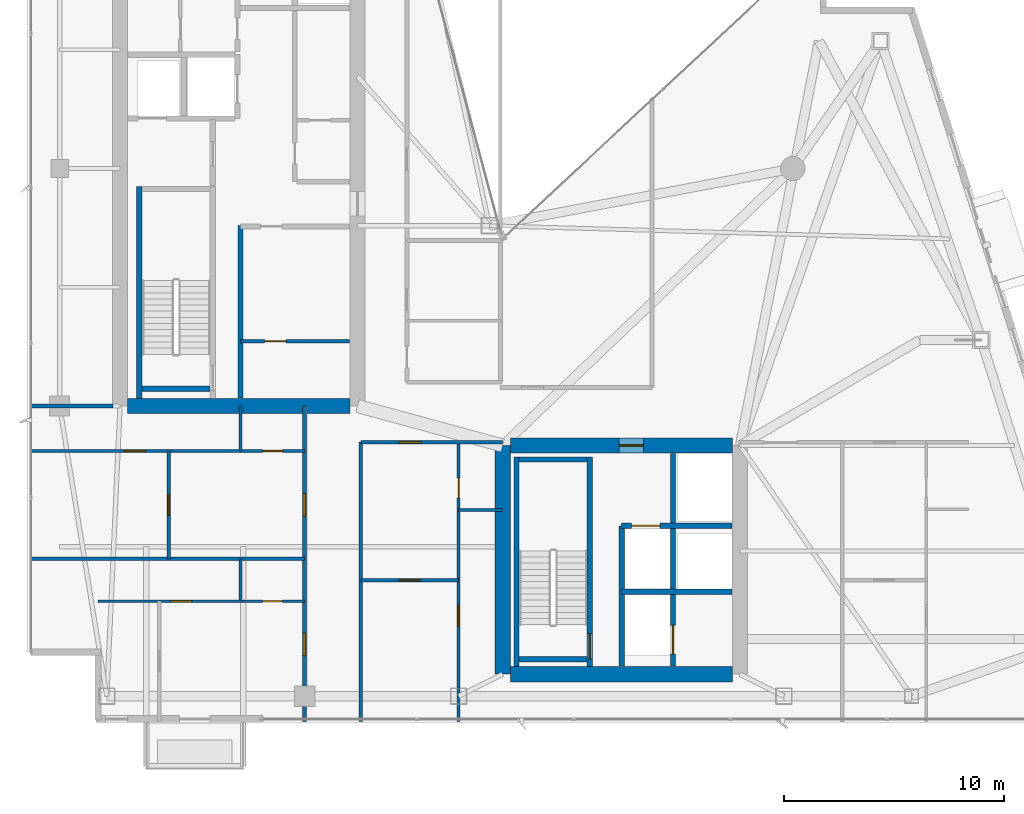
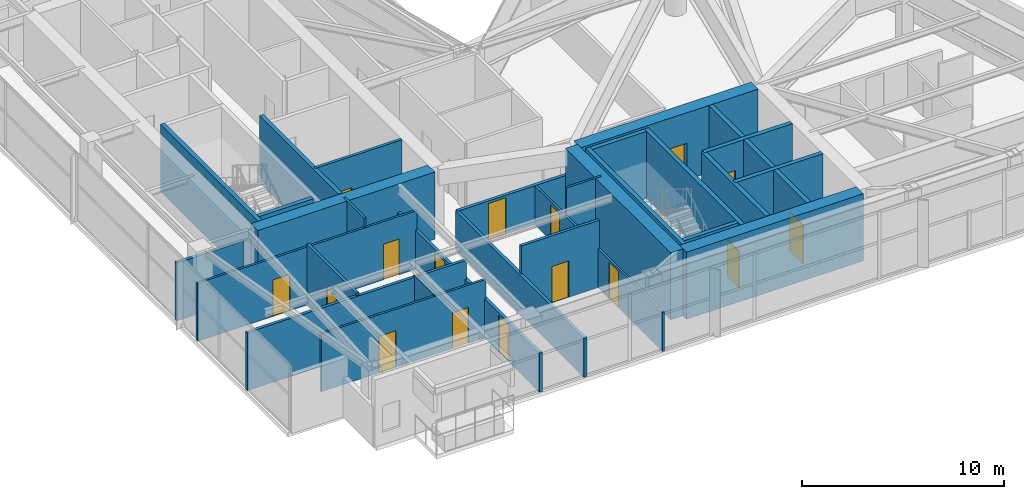
# One storey, part 22 of 27: 29 walls, 16 doors, 16 openings.
"""IFC4 building model written with IfcOpenShell, lengths in metres."""

import ifcopenshell
import ifcopenshell.guid

model = None  # the IFC model being written
_history = None  # IfcOwnerHistory: only IFC2X3 demands one
_inside = {}  # id of a spatial element -> (the spatial element, [elements in it])
_under = {}  # id of a project, library or spatial element -> (it, [spatial elements below it])
_declared = {}  # id of a project -> (the project, [libraries it declares])
_typed = {}  # id of a type object -> (the type object, [elements of that type])
_made_of = {}  # id of a material, layer set ... -> (it, [elements and type objects made of it])


def new_model(schema):
    """Start an empty IFC model of exactly this schema.

    Asked for "IFC4X3", IfcOpenShell would pick the latest addendum, in which some entities
    have other attributes; the version numbers below select the first issue.
    IFC2X3 requires an IfcOwnerHistory on every rooted entity: one is made here for all.
    """
    global model, _history
    if schema == "IFC4X3":
        model = ifcopenshell.file(schema_version=(4, 3, 0, 0))
    else:
        model = ifcopenshell.file(schema=schema)
    _inside.clear()
    _under.clear()
    _declared.clear()
    _typed.clear()
    _made_of.clear()
    _history = None
    if model.schema == "IFC2X3":
        org = make("IfcOrganization", Name="unknown")
        user = make(
            "IfcPersonAndOrganization",
            ThePerson=make("IfcPerson", FamilyName="unknown"),
            TheOrganization=org,
        )
        app = make(
            "IfcApplication",
            ApplicationDeveloper=org,
            Version="unknown",
            ApplicationFullName="unknown",
            ApplicationIdentifier="unknown",
        )
        _history = make(
            "IfcOwnerHistory",
            OwningUser=user,
            OwningApplication=app,
            ChangeAction="ADDED",
            CreationDate=0,
        )
    return model


def make(cls, **values):
    """One entity of the class cls with the attributes given. An attribute that is None is left unset."""
    return model.create_entity(
        cls, **{name: value for name, value in values.items() if value is not None}
    )


def rooted(cls, **values):
    """An entity with a GlobalId (a new one), such as an element, a storey or a relation."""
    return make(cls, GlobalId=ifcopenshell.guid.new(), OwnerHistory=_history, **values)


def si_unit(unit_type, name, prefix=None):
    """IfcSIUnit, for example si_unit("LENGTHUNIT", "METRE", prefix="MILLI")."""
    return make("IfcSIUnit", UnitType=unit_type, Prefix=prefix, Name=name)


def assignment(units):
    """IfcUnitAssignment: the units of a project."""
    return None if units is None else make("IfcUnitAssignment", Units=units)


def point(xyz):
    """IfcCartesianPoint."""
    return None if xyz is None else make("IfcCartesianPoint", Coordinates=xyz)


def direction(xyz):
    """IfcDirection."""
    return None if xyz is None else make("IfcDirection", DirectionRatios=xyz)


def frame(location, z_axis=None, x_axis=None):
    """IfcAxis2Placement3D, a coordinate frame: its origin and axes. An axis left out is left unset."""
    return make(
        "IfcAxis2Placement3D",
        Location=point(location),
        Axis=direction(z_axis),
        RefDirection=direction(x_axis),
    )


def frame_2d(location, x_axis=None):
    """IfcAxis2Placement2D, a coordinate frame in the plane: its origin and x axis."""
    return make(
        "IfcAxis2Placement2D", Location=point(location), RefDirection=direction(x_axis)
    )


def origin():
    """The frame at (0, 0, 0) with its axes left unset."""
    return frame((0.0, 0.0, 0.0))


def place(relative_to, where):
    """IfcLocalPlacement: puts the frame where relative to a parent placement (None: the world)."""
    return make(
        "IfcLocalPlacement", PlacementRelTo=relative_to, RelativePlacement=where
    )


def context(
    kind, dimensions, precision=None, world=None, true_north=None, identifier=None
):
    """IfcGeometricRepresentationContext, for example the 3D "Model" context."""
    return make(
        "IfcGeometricRepresentationContext",
        ContextIdentifier=identifier,
        ContextType=kind,
        CoordinateSpaceDimension=dimensions,
        Precision=precision,
        WorldCoordinateSystem=world,
        TrueNorth=true_north,
    )


def subcontext(parent, identifier, kind, view, scale=None):
    """IfcGeometricRepresentationSubContext, for example "Body" below "Model"."""
    return make(
        "IfcGeometricRepresentationSubContext",
        ContextIdentifier=identifier,
        ContextType=kind,
        ParentContext=parent,
        TargetScale=scale,
        TargetView=view,
    )


def project(units=None, contexts=None):
    """IfcProject with its units and contexts."""
    return rooted(
        "IfcProject",
        Name="project",
        RepresentationContexts=contexts,
        UnitsInContext=assignment(units),
    )


def spatial(cls, under=None, at=None, **own):
    """A site, building, storey or space (cls), placed at a placement, below another one or the project."""
    s = rooted(cls, ObjectPlacement=at, **own)
    if under is not None:
        _under.setdefault(under.id(), (under, []))[1].append(s)
    return s


def profile(cls, at=None, kind="AREA", **sizes):
    """A parametric profile (cls). Its sizes go by their IFC names, for example OverallWidth=200.0."""
    return make(cls, ProfileType=kind, Position=at, **sizes)


def rectangle(**sizes):
    """IfcRectangleProfileDef."""
    return profile("IfcRectangleProfileDef", **sizes)


def extrude(swept, where, along, depth):
    """IfcExtrudedAreaSolid: the profile swept, set in the frame where, extruded along a direction by depth."""
    return make(
        "IfcExtrudedAreaSolid",
        SweptArea=swept,
        Position=where,
        ExtrudedDirection=direction(along),
        Depth=depth,
    )


def shape(context_of_items, identifier, shape_type, items):
    """IfcShapeRepresentation: the items that make up one representation, for example the "Body"."""
    return make(
        "IfcShapeRepresentation",
        ContextOfItems=context_of_items,
        RepresentationIdentifier=identifier,
        RepresentationType=shape_type,
        Items=items,
    )


def material(Name=None, Category=None):
    """IfcMaterial."""
    return make("IfcMaterial", Name=Name, Category=Category)


def layer(
    of_material, thickness, ventilated=None, Name=None, Category=None, Priority=None
):
    """IfcMaterialLayer: one layer of a wall or slab, of a material (None: an air gap)."""
    return make(
        "IfcMaterialLayer",
        Material=of_material,
        LayerThickness=thickness,
        IsVentilated=ventilated,
        Name=Name,
        Category=Category,
        Priority=Priority,
    )


def layer_set(layers, Name=None):
    """IfcMaterialLayerSet."""
    return make("IfcMaterialLayerSet", MaterialLayers=layers, LayerSetName=Name)


def made_of(thing, what):
    """Note that an element or type object is made of a material, layer set ...; save() writes the relation."""
    if what is not None:
        _made_of.setdefault(what.id(), (what, []))[1].append(thing)
    return thing


def type_object(cls, material=None, **own):
    """A type object (cls), such as IfcWallType, which elements share."""
    return made_of(rooted(cls, **own), material)


def element(
    cls,
    number,
    at=None,
    inside=None,
    cuts=None,
    type_object=None,
    material=None,
    context=None,
    identifier="Body",
    shape_type=None,
    held_by="IfcProductDefinitionShape",
    body=None,
    shapes=None,
    **own,
):
    """One element of the class cls, such as IfcWall. Its Tag is "e" and its number.

    at: its placement. inside: the storey or other place that contains it. cuts: it is an
    opening in that element (IfcRelVoidsElement). A single representation is given by context,
    identifier, shape_type and body (its items); several are given by shapes. held_by: the class
    of the entity that holds the representations. save() writes the other relations.
    """
    e = rooted(cls, Tag="e%d" % number, ObjectPlacement=at, **own)
    if body is not None:
        shapes = [shape(context, identifier, shape_type, body)]
    if shapes is not None:
        e.Representation = make(held_by, Representations=shapes)
    if inside is not None:
        _inside.setdefault(inside.id(), (inside, []))[1].append(e)
    if cuts is not None:
        rooted(
            "IfcRelVoidsElement", RelatingBuildingElement=cuts, RelatedOpeningElement=e
        )
    if type_object is not None:
        _typed.setdefault(type_object.id(), (type_object, []))[1].append(e)
    return made_of(e, material)


def fill(opening, filler):
    """IfcRelFillsElement: the door or window that sits in an opening."""
    return rooted(
        "IfcRelFillsElement",
        RelatingOpeningElement=opening,
        RelatedBuildingElement=filler,
    )


def aggregate(whole, parts):
    """IfcRelAggregates: a whole, such as a stair, and the parts it consists of."""
    return rooted("IfcRelAggregates", RelatingObject=whole, RelatedObjects=parts)


def save(model, path):
    """Write the relations noted so far, then the file.

    IfcRelAggregates (storeys below a building ...), IfcRelContainedInSpatialStructure (elements
    in a storey), IfcRelDefinesByType, IfcRelAssociatesMaterial and IfcRelDeclares: one each for
    every whole, place, type object, material and project.
    """
    for whole, parts in _under.values():
        aggregate(whole, parts)
    for where, things in _inside.values():
        rooted(
            "IfcRelContainedInSpatialStructure",
            RelatedElements=things,
            RelatingStructure=where,
        )
    for kind, things in _typed.values():
        rooted("IfcRelDefinesByType", RelatedObjects=things, RelatingType=kind)
    for what, things in _made_of.values():
        rooted("IfcRelAssociatesMaterial", RelatedObjects=things, RelatingMaterial=what)
    for by, libraries in _declared.values():
        rooted("IfcRelDeclares", RelatingContext=by, RelatedDefinitions=libraries)
    model.write(path)


model = new_model("IFC4")

# Units and contexts
model_context = context("Model", 3, precision=1e-05, world=origin(), true_north=direction((0.0, 1.0)))
body_context = subcontext(model_context, "Body", "Model", "MODEL_VIEW")
ifc_project = project(units=[si_unit("LENGTHUNIT", "METRE"), si_unit("AREAUNIT", "SQUARE_METRE"), si_unit("VOLUMEUNIT", "CUBIC_METRE"), si_unit("PLANEANGLEUNIT", "RADIAN"), si_unit("MASSUNIT", "GRAM", prefix="KILO")], contexts=[model_context])

# Site, building, storey
site_placement = place(None, origin())
site = spatial("IfcSite", under=ifc_project, at=site_placement, CompositionType="ELEMENT")
building_placement = place(site_placement, origin())
building = spatial("IfcBuilding", under=site, at=building_placement, Name="Calvorn Quay Hotel", CompositionType="ELEMENT")
storey_placement = place(building_placement, frame((0.0, 0.0, 239.300048828125)))
storey = spatial("IfcBuildingStorey", under=building, at=storey_placement, Name="L59", CompositionType="ELEMENT", Elevation=239.300048828125)

# Walls
ifc_material_1 = material(Name="Concrete C45", Category="concrete")
ifc_layer_1 = layer(ifc_material_1, 0.699951171875)
ifc_layer_set_1 = layer_set([ifc_layer_1], Name="WL-CORE-700")
wall_type_1 = type_object("IfcWallType", Name="WL-CORE-700", PredefinedType="SHEAR", material=ifc_layer_set_1)
wall_1_placement = place(storey_placement, frame((4.550048828125, 16.800048828125, 0.0), z_axis=(0.0, 0.0, 1.0), x_axis=(1.0, 0.0, 0.0)))
element("IfcWall", 1, at=wall_1_placement, inside=storey, type_object=wall_type_1, Name="West Core Shear Wall S (L59)", PredefinedType="SHEAR", context=body_context, shape_type="SweptSolid", body=[
    extrude(rectangle(XDim=10.099853515625, YDim=0.699951171875, at=frame_2d((5.0498046875, 0.0))), origin(), (0.0, 0.0, 1.0), 4.050048828125),
])
wall_2_placement = place(storey_placement, frame((21.60009765625, 4.60009765625, 0.0), z_axis=(0.0, 0.0, 1.0), x_axis=(0.0, 1.0, 0.0)))
element("IfcWall", 2, at=wall_2_placement, inside=storey, type_object=wall_type_1, Name="East Core Shear Wall W (L59)", PredefinedType="SHEAR", context=body_context, shape_type="SweptSolid", body=[
    extrude(rectangle(XDim=10.39990234375, YDim=0.699951171875, at=frame_2d((5.199951171875, 0.0))), origin(), (0.0, 0.0, 1.0), 4.050048828125),
])

# Wall, opening, door
wall_3_placement = place(storey_placement, frame((21.949951171875, 15.0, 0.0), z_axis=(0.0, 0.0, 1.0), x_axis=(1.0, 0.0, 0.0)))
wall_3 = element("IfcWall", 3, at=wall_3_placement, inside=storey, type_object=wall_type_1, Name="East Core Shear Wall N (L59)", PredefinedType="SHEAR", context=body_context, shape_type="SweptSolid", body=[
    extrude(rectangle(XDim=10.10009765625, YDim=0.699951171875, at=frame_2d((5.050048828125, 0.0))), origin(), (0.0, 0.0, 1.0), 4.050048828125),
])
opening_1_placement = place(wall_3_placement, frame((4.949951171875, 0.0, 0.0)))
opening_1 = element("IfcOpeningElement", 4, at=opening_1_placement, cuts=wall_3, Name="Opening D-L59-FLE", PredefinedType="OPENING", context=body_context, shape_type="SweptSolid", body=[
    extrude(rectangle(XDim=1.10009765625, YDim=2.199951171875, at=frame_2d((0.550048828125, 1.10009765625))), frame((0.0, 0.35986328125, 0.0), z_axis=(0.0, -1.0, 0.0), x_axis=(1.0, 0.0, 0.0)), (0.0, 0.0, 1.0), 0.719970703125),
])
ifc_material_2 = material(Name="Smoke-Sealed Steel Class A Fire Door", Category="steel")
door_type_1 = type_object("IfcDoorType", Name="DR-FFLOBBY-1100", OperationType="NOTDEFINED", PredefinedType="DOOR", material=ifc_material_2)
door_1_placement = place(opening_1_placement, origin())
door_1 = element("IfcDoor", 5, at=door_1_placement, inside=storey, type_object=door_type_1, Name="East Firefighting Lobby Fire Door (L59)", OperationType="SINGLE_SWING_LEFT", OverallHeight=2.199951171875, OverallWidth=1.10009765625, PredefinedType="DOOR", context=body_context, shape_type="SweptSolid", body=[
    extrude(rectangle(XDim=1.10009765625, YDim=2.199951171875, at=frame_2d((0.550048828125, 1.10009765625))), frame((0.0, 0.02490234375, 0.0), z_axis=(0.0, -1.0, 0.0), x_axis=(1.0, 0.0, 0.0)), (0.0, 0.0, 1.0), 0.050048828125),
])
fill(opening_1, door_1)

# Walls
wall_4_placement = place(storey_placement, frame((21.949951171875, 4.60009765625, 0.0), z_axis=(0.0, 0.0, 1.0), x_axis=(1.0, 0.0, 0.0)))
element("IfcWall", 6, at=wall_4_placement, inside=storey, type_object=wall_type_1, Name="East Core Shear Wall S (L59)", PredefinedType="SHEAR", context=body_context, shape_type="SweptSolid", body=[
    extrude(rectangle(XDim=10.10009765625, YDim=0.699951171875, at=frame_2d((5.050048828125, 0.0))), origin(), (0.0, 0.0, 1.0), 4.050048828125),
])
ifc_material_3 = material(Name="Acoustic Fireboard Steel-Stud Partition", Category="steel")
ifc_layer_2 = layer(ifc_material_3, 0.179931640625)
ifc_layer_set_2 = layer_set([ifc_layer_2], Name="WL-CORR-FIRE-180")
wall_type_2 = type_object("IfcWallType", Name="WL-CORR-FIRE-180", PredefinedType="PARTITIONING", material=ifc_layer_set_2)
wall_5_placement = place(storey_placement, frame((0.080078125, 16.800048828125, 0.0), z_axis=(0.0, 0.0, 1.0), x_axis=(1.0, 0.0, 0.0)))
element("IfcWall", 7, at=wall_5_placement, inside=storey, type_object=wall_type_2, Name="Partition Wall L59-WL-WBAY-S-WALL", PredefinedType="PARTITIONING", context=body_context, shape_type="SweptSolid", body=[
    extrude(rectangle(XDim=3.7998046875, YDim=0.179931640625, at=frame_2d((1.89990234375, 0.0))), origin(), (0.0, 0.0, 1.0), 3.5),
])

# Wall, openings, doors
wall_6_placement = place(storey_placement, frame((12.60009765625, 2.43994140625, 0.0), z_axis=(0.0, 0.0, 1.0), x_axis=(0.0, 1.0, 0.0)))
wall_6 = element("IfcWall", 8, at=wall_6_placement, inside=storey, type_object=wall_type_2, Name="Partition Wall L59-WL-CORR-SW-LEG-W", PredefinedType="PARTITIONING", context=body_context, shape_type="SweptSolid", body=[
    extrude(rectangle(XDim=14.360107421875, YDim=0.179931640625, at=frame_2d((7.18017578125, 0.0))), origin(), (0.0, 0.0, 1.0), 2.349853515625),
])
opening_2_placement = place(wall_6_placement, frame((3.010009765625, 0.0, 0.0)))
opening_2 = element("IfcOpeningElement", 9, at=opening_2_placement, cuts=wall_6, Name="Opening D-L59-U01", PredefinedType="OPENING", context=body_context, shape_type="SweptSolid", body=[
    extrude(rectangle(XDim=1.02001953125, YDim=2.199951171875, at=frame_2d((0.510009765625, 1.10009765625))), frame((0.0, 0.099853515625, 0.0), z_axis=(0.0, -1.0, 0.0), x_axis=(1.0, 0.0, 0.0)), (0.0, 0.0, 1.0), 0.199951171875),
])
opening_3_placement = place(wall_6_placement, frame((9.35009765625, 0.0, 0.0)))
opening_3 = element("IfcOpeningElement", 10, at=opening_3_placement, cuts=wall_6, Name="Opening D-L59-U02", PredefinedType="OPENING", context=body_context, shape_type="SweptSolid", body=[
    extrude(rectangle(XDim=1.02001953125, YDim=2.199951171875, at=frame_2d((0.510009765625, 1.10009765625))), frame((0.0, 0.099853515625, 0.0), z_axis=(0.0, -1.0, 0.0), x_axis=(1.0, 0.0, 0.0)), (0.0, 0.0, 1.0), 0.199951171875),
])
ifc_material_4 = material(Name="Solid-Core Walnut Veneer Hotel Fire Door")
door_type_2 = type_object("IfcDoorType", Name="DR-GUEST-ENTRY-1020", OperationType="NOTDEFINED", PredefinedType="DOOR", material=ifc_material_4)
door_2_placement = place(opening_2_placement, origin())
door_2 = element("IfcDoor", 11, at=door_2_placement, inside=storey, type_object=door_type_2, Name="South-West Unit Door U01 (L59)", OperationType="SINGLE_SWING_LEFT", OverallHeight=2.199951171875, OverallWidth=1.02001953125, PredefinedType="DOOR", context=body_context, shape_type="SweptSolid", body=[
    extrude(rectangle(XDim=1.02001953125, YDim=2.199951171875, at=frame_2d((0.510009765625, 1.10009765625))), frame((0.0, 0.02490234375, 0.0), z_axis=(0.0, -1.0, 0.0), x_axis=(1.0, 0.0, 0.0)), (0.0, 0.0, 1.0), 0.050048828125),
])
fill(opening_2, door_2)
door_3_placement = place(opening_3_placement, origin())
door_3 = element("IfcDoor", 12, at=door_3_placement, inside=storey, type_object=door_type_2, Name="South-West Unit Door U02 (L59)", OperationType="SINGLE_SWING_RIGHT", OverallHeight=2.199951171875, OverallWidth=1.02001953125, PredefinedType="DOOR", context=body_context, shape_type="SweptSolid", body=[
    extrude(rectangle(XDim=1.02001953125, YDim=2.199951171875, at=frame_2d((0.510009765625, 1.10009765625))), frame((0.0, 0.02490234375, 0.0), z_axis=(0.0, -1.0, 0.0), x_axis=(1.0, 0.0, 0.0)), (0.0, 0.0, 1.0), 0.050048828125),
])
fill(opening_3, door_3)

# Wall
wall_7_placement = place(storey_placement, frame((15.14990234375, 2.43994140625, 0.0), z_axis=(0.0, 0.0, 1.0), x_axis=(0.0, 1.0, 0.0)))
element("IfcWall", 13, at=wall_7_placement, inside=storey, type_object=wall_type_2, Name="Partition Wall L59-WL-CORR-SW-W", PredefinedType="PARTITIONING", context=body_context, shape_type="SweptSolid", body=[
    extrude(rectangle(XDim=12.7099609375, YDim=0.179931640625, at=frame_2d((6.35498046875, 0.0))), origin(), (0.0, 0.0, 1.0), 2.349853515625),
])

# Wall, opening, door
wall_8_placement = place(storey_placement, frame((15.14990234375, 15.14990234375, 0.0), z_axis=(0.0, 0.0, 1.0), x_axis=(1.0, 0.0, 0.0)))
wall_8 = element("IfcWall", 14, at=wall_8_placement, inside=storey, type_object=wall_type_2, Name="Partition Wall L59-WL-SC-CORR-S", PredefinedType="PARTITIONING", context=body_context, shape_type="SweptSolid", body=[
    extrude(rectangle(XDim=6.4501953125, YDim=0.179931640625, at=frame_2d((3.22509765625, 0.0))), origin(), (0.0, 0.0, 1.0), 2.349853515625),
])
opening_4_placement = place(wall_8_placement, frame((1.739990234375, 0.0, 0.0)))
opening_4 = element("IfcOpeningElement", 15, at=opening_4_placement, cuts=wall_8, Name="Opening D-L59-U03", PredefinedType="OPENING", context=body_context, shape_type="SweptSolid", body=[
    extrude(rectangle(XDim=1.02001953125, YDim=2.199951171875, at=frame_2d((0.510009765625, 1.10009765625))), frame((0.0, 0.099853515625, 0.0), z_axis=(0.0, -1.0, 0.0), x_axis=(1.0, 0.0, 0.0)), (0.0, 0.0, 1.0), 0.199951171875),
])
door_4_placement = place(opening_4_placement, origin())
door_4 = element("IfcDoor", 16, at=door_4_placement, inside=storey, type_object=door_type_2, Name="Harbour Central Unit Door (L59)", OperationType="SINGLE_SWING_LEFT", OverallHeight=2.199951171875, OverallWidth=1.02001953125, PredefinedType="DOOR", context=body_context, shape_type="SweptSolid", body=[
    extrude(rectangle(XDim=1.02001953125, YDim=2.199951171875, at=frame_2d((0.510009765625, 1.10009765625))), frame((0.0, 0.02490234375, 0.0), z_axis=(0.0, -1.0, 0.0), x_axis=(1.0, 0.0, 0.0)), (0.0, 0.0, 1.0), 0.050048828125),
])
fill(opening_4, door_4)

# Wall
ifc_material_5 = material(Name="Moisture-Resistant Tile-Backed Partition")
ifc_layer_3 = layer(ifc_material_5, 0.125)
ifc_layer_set_3 = layer_set([ifc_layer_3], Name="WL-ENSUITE-125")
wall_type_3 = type_object("IfcWallType", Name="WL-ENSUITE-125", PredefinedType="PARTITIONING", material=ifc_layer_set_3)
wall_9_placement = place(storey_placement, frame((9.679931640625, 7.919921875, 0.0), z_axis=(0.0, 0.0, 1.0), x_axis=(0.0, 1.0, 0.0)))
element("IfcWall", 17, at=wall_9_placement, inside=storey, type_object=wall_type_3, Name="Partition Wall L59-WL-U01-BDV", PredefinedType="PARTITIONING", context=body_context, shape_type="SweptSolid", body=[
    extrude(rectangle(XDim=1.93017578125, YDim=0.125, at=frame_2d((0.965087890625, 0.0))), origin(), (0.0, 0.0, 1.0), 3.599853515625),
])

# Wall, openings, doors
wall_10_placement = place(storey_placement, frame((3.199951171875, 7.919921875, 0.0), z_axis=(0.0, 0.0, 1.0), x_axis=(1.0, 0.0, 0.0)))
wall_10 = element("IfcWall", 18, at=wall_10_placement, inside=storey, type_object=wall_type_3, Name="Partition Wall L59-WL-U01-BH", PredefinedType="PARTITIONING", context=body_context, shape_type="SweptSolid", body=[
    extrude(rectangle(XDim=9.400146484375, YDim=0.125, at=frame_2d((4.7001953125, 0.0))), origin(), (0.0, 0.0, 1.0), 3.5),
])
opening_5_placement = place(wall_10_placement, frame((3.300048828125, 0.0, 0.0)))
opening_5 = element("IfcOpeningElement", 19, at=opening_5_placement, cuts=wall_10, Name="Opening D-L59-S01", PredefinedType="OPENING", context=body_context, shape_type="SweptSolid", body=[
    extrude(rectangle(XDim=0.9599609375, YDim=2.199951171875, at=frame_2d((0.47998046875, 1.10009765625))), frame((0.0, 0.072509765625, 0.0), z_axis=(0.0, -1.0, 0.0), x_axis=(1.0, 0.0, 0.0)), (0.0, 0.0, 1.0), 0.14501953125),
])
opening_6_placement = place(wall_10_placement, frame((7.489990234375, 0.0, 0.0)))
opening_6 = element("IfcOpeningElement", 20, at=opening_6_placement, cuts=wall_10, Name="Opening D-L59-E01", PredefinedType="OPENING", context=body_context, shape_type="SweptSolid", body=[
    extrude(rectangle(XDim=0.89990234375, YDim=2.14990234375, at=frame_2d((0.449951171875, 1.074951171875))), frame((0.0, 0.072509765625, 0.0), z_axis=(0.0, -1.0, 0.0), x_axis=(1.0, 0.0, 0.0)), (0.0, 0.0, 1.0), 0.14501953125),
])
ifc_material_6 = material(Name="Moisture-Sealed Timber En-Suite Door", Category="wood")
door_type_3 = type_object("IfcDoorType", Name="DR-ENSUITE-900", OperationType="NOTDEFINED", PredefinedType="DOOR", material=ifc_material_6)
door_5_placement = place(opening_6_placement, origin())
door_5 = element("IfcDoor", 21, at=door_5_placement, inside=storey, type_object=door_type_3, Name="En-Suite Door 01", OperationType="SINGLE_SWING_RIGHT", OverallHeight=2.14990234375, OverallWidth=0.89990234375, PredefinedType="DOOR", context=body_context, shape_type="SweptSolid", body=[
    extrude(rectangle(XDim=0.89990234375, YDim=2.14990234375, at=frame_2d((0.449951171875, 1.074951171875))), frame((0.0, 0.02490234375, 0.0), z_axis=(0.0, -1.0, 0.0), x_axis=(1.0, 0.0, 0.0)), (0.0, 0.0, 1.0), 0.050048828125),
])
fill(opening_6, door_5)
ifc_material_7 = material(Name="Solid Timber Internal Suite Door", Category="wood")
door_type_4 = type_object("IfcDoorType", Name="DR-SUITE-INT-960", OperationType="NOTDEFINED", PredefinedType="DOOR", material=ifc_material_7)
door_6_placement = place(opening_5_placement, origin())
door_6 = element("IfcDoor", 22, at=door_6_placement, inside=storey, type_object=door_type_4, Name="Botanical Winter Garden Door 01", OperationType="SINGLE_SWING_LEFT", OverallHeight=2.199951171875, OverallWidth=0.9599609375, PredefinedType="DOOR", context=body_context, shape_type="SweptSolid", body=[
    extrude(rectangle(XDim=0.9599609375, YDim=2.199951171875, at=frame_2d((0.47998046875, 1.10009765625))), frame((0.0, 0.02490234375, 0.0), z_axis=(0.0, -1.0, 0.0), x_axis=(1.0, 0.0, 0.0)), (0.0, 0.0, 1.0), 0.050048828125),
])
fill(opening_5, door_6)

# Wall
wall_11_placement = place(storey_placement, frame((9.679931640625, 14.75, 0.0), z_axis=(0.0, 0.0, 1.0), x_axis=(0.0, 1.0, 0.0)))
element("IfcWall", 23, at=wall_11_placement, inside=storey, type_object=wall_type_3, Name="Partition Wall L59-WL-U02-BDV", PredefinedType="PARTITIONING", context=body_context, shape_type="SweptSolid", body=[
    extrude(rectangle(XDim=2.050048828125, YDim=0.125, at=frame_2d((1.02490234375, 0.0))), origin(), (0.0, 0.0, 1.0), 4.050048828125),
])

# Wall, openings, doors
wall_12_placement = place(storey_placement, frame((0.080078125, 14.75, 0.0), z_axis=(0.0, 0.0, 1.0), x_axis=(1.0, 0.0, 0.0)))
wall_12 = element("IfcWall", 24, at=wall_12_placement, inside=storey, type_object=wall_type_3, Name="Partition Wall L59-WL-U02-BH", PredefinedType="PARTITIONING", context=body_context, shape_type="SweptSolid", body=[
    extrude(rectangle(XDim=12.52001953125, YDim=0.125, at=frame_2d((6.260009765625, 0.0))), origin(), (0.0, 0.0, 1.0), 3.5),
])
opening_7_placement = place(wall_12_placement, frame((4.320068359375, 0.0, 0.0)))
opening_7 = element("IfcOpeningElement", 25, at=opening_7_placement, cuts=wall_12, Name="Opening D-L59-S02", PredefinedType="OPENING", context=body_context, shape_type="SweptSolid", body=[
    extrude(rectangle(XDim=0.9599609375, YDim=2.199951171875, at=frame_2d((0.47998046875, 1.10009765625))), frame((0.0, 0.072509765625, 0.0), z_axis=(0.0, -1.0, 0.0), x_axis=(1.0, 0.0, 0.0)), (0.0, 0.0, 1.0), 0.14501953125),
])
opening_8_placement = place(wall_12_placement, frame((10.610107421875, 0.0, 0.0)))
opening_8 = element("IfcOpeningElement", 26, at=opening_8_placement, cuts=wall_12, Name="Opening D-L59-E02", PredefinedType="OPENING", context=body_context, shape_type="SweptSolid", body=[
    extrude(rectangle(XDim=0.89990234375, YDim=2.14990234375, at=frame_2d((0.449951171875, 1.074951171875))), frame((0.0, 0.072509765625, 0.0), z_axis=(0.0, -1.0, 0.0), x_axis=(1.0, 0.0, 0.0)), (0.0, 0.0, 1.0), 0.14501953125),
])
door_7_placement = place(opening_8_placement, origin())
door_7 = element("IfcDoor", 27, at=door_7_placement, inside=storey, type_object=door_type_3, Name="En-Suite Door 02", OperationType="SINGLE_SWING_RIGHT", OverallHeight=2.14990234375, OverallWidth=0.89990234375, PredefinedType="DOOR", context=body_context, shape_type="SweptSolid", body=[
    extrude(rectangle(XDim=0.89990234375, YDim=2.14990234375, at=frame_2d((0.449951171875, 1.074951171875))), frame((0.0, 0.02490234375, 0.0), z_axis=(0.0, -1.0, 0.0), x_axis=(1.0, 0.0, 0.0)), (0.0, 0.0, 1.0), 0.050048828125),
])
fill(opening_8, door_7)
door_8_placement = place(opening_7_placement, origin())
door_8 = element("IfcDoor", 28, at=door_8_placement, inside=storey, type_object=door_type_4, Name="Botanical Winter Garden Door 02", OperationType="SINGLE_SWING_LEFT", OverallHeight=2.199951171875, OverallWidth=0.9599609375, PredefinedType="DOOR", context=body_context, shape_type="SweptSolid", body=[
    extrude(rectangle(XDim=0.9599609375, YDim=2.199951171875, at=frame_2d((0.47998046875, 1.10009765625))), frame((0.0, 0.02490234375, 0.0), z_axis=(0.0, -1.0, 0.0), x_axis=(1.0, 0.0, 0.0)), (0.0, 0.0, 1.0), 0.050048828125),
])
fill(opening_7, door_8)

# Wall
wall_13_placement = place(storey_placement, frame((19.60009765625, 12.070068359375, 0.0), z_axis=(0.0, 0.0, 1.0), x_axis=(1.0, 0.0, 0.0)))
element("IfcWall", 29, at=wall_13_placement, inside=storey, type_object=wall_type_3, Name="Partition Wall L59-WL-U03-BDV", PredefinedType="PARTITIONING", context=body_context, shape_type="SweptSolid", body=[
    extrude(rectangle(XDim=2.0, YDim=0.125, at=frame_2d((1.0, 0.0))), origin(), (0.0, 0.0, 1.0), 4.050048828125),
])

# Wall, openings, doors
wall_14_placement = place(storey_placement, frame((19.60009765625, 2.43994140625, 0.0), z_axis=(0.0, 0.0, 1.0), x_axis=(0.0, 1.0, 0.0)))
wall_14 = element("IfcWall", 30, at=wall_14_placement, inside=storey, type_object=wall_type_3, Name="Partition Wall L59-WL-U03-BV", PredefinedType="PARTITIONING", context=body_context, shape_type="SweptSolid", body=[
    extrude(rectangle(XDim=12.7099609375, YDim=0.125, at=frame_2d((6.35498046875, 0.0))), origin(), (0.0, 0.0, 1.0), 2.349853515625),
])
opening_9_placement = place(wall_14_placement, frame((4.340087890625, 0.0, 0.0)))
opening_9 = element("IfcOpeningElement", 31, at=opening_9_placement, cuts=wall_14, Name="Opening D-L59-S03", PredefinedType="OPENING", context=body_context, shape_type="SweptSolid", body=[
    extrude(rectangle(XDim=0.9599609375, YDim=2.199951171875, at=frame_2d((0.47998046875, 1.10009765625))), frame((0.0, 0.072509765625, 0.0), z_axis=(0.0, -1.0, 0.0), x_axis=(1.0, 0.0, 0.0)), (0.0, 0.0, 1.0), 0.14501953125),
])
opening_10_placement = place(wall_14_placement, frame((10.179931640625, 0.0, 0.0)))
opening_10 = element("IfcOpeningElement", 32, at=opening_10_placement, cuts=wall_14, Name="Opening D-L59-E03", PredefinedType="OPENING", context=body_context, shape_type="SweptSolid", body=[
    extrude(rectangle(XDim=0.89990234375, YDim=2.14990234375, at=frame_2d((0.449951171875, 1.074951171875))), frame((0.0, 0.072509765625, 0.0), z_axis=(0.0, -1.0, 0.0), x_axis=(1.0, 0.0, 0.0)), (0.0, 0.0, 1.0), 0.14501953125),
])
door_9_placement = place(opening_10_placement, origin())
door_9 = element("IfcDoor", 33, at=door_9_placement, inside=storey, type_object=door_type_3, Name="En-Suite Door 03", OperationType="SINGLE_SWING_RIGHT", OverallHeight=2.14990234375, OverallWidth=0.89990234375, PredefinedType="DOOR", context=body_context, shape_type="SweptSolid", body=[
    extrude(rectangle(XDim=0.89990234375, YDim=2.14990234375, at=frame_2d((0.449951171875, 1.074951171875))), frame((0.0, 0.02490234375, 0.0), z_axis=(0.0, -1.0, 0.0), x_axis=(1.0, 0.0, 0.0)), (0.0, 0.0, 1.0), 0.050048828125),
])
fill(opening_10, door_9)
door_10_placement = place(opening_9_placement, origin())
door_10 = element("IfcDoor", 34, at=door_10_placement, inside=storey, type_object=door_type_4, Name="Botanical Winter Garden Door 03", OperationType="SINGLE_SWING_LEFT", OverallHeight=2.199951171875, OverallWidth=0.9599609375, PredefinedType="DOOR", context=body_context, shape_type="SweptSolid", body=[
    extrude(rectangle(XDim=0.9599609375, YDim=2.199951171875, at=frame_2d((0.47998046875, 1.10009765625))), frame((0.0, 0.02490234375, 0.0), z_axis=(0.0, -1.0, 0.0), x_axis=(1.0, 0.0, 0.0)), (0.0, 0.0, 1.0), 0.050048828125),
])
fill(opening_9, door_10)

# Wall, opening, door
ifc_material_8 = material(Name="Double-Stud Acoustic Gypsum Partition")
ifc_layer_4 = layer(ifc_material_8, 0.159912109375)
ifc_layer_set_4 = layer_set([ifc_layer_4], Name="WL-INTERSUITE-160")
wall_type_4 = type_object("IfcWallType", Name="WL-INTERSUITE-160", PredefinedType="PARTITIONING", material=ifc_layer_set_4)
wall_15_placement = place(storey_placement, frame((9.679931640625, 19.75, 0.0), z_axis=(0.0, 0.0, 1.0), x_axis=(1.0, 0.0, 0.0)))
wall_15 = element("IfcWall", 35, at=wall_15_placement, inside=storey, type_object=wall_type_4, Name="Partition Wall L59-WL-CWW-FR-SPLIT", PredefinedType="PARTITIONING", context=body_context, shape_type="SweptSolid", body=[
    extrude(rectangle(XDim=4.949951171875, YDim=0.159912109375, at=frame_2d((2.47509765625, 0.0))), origin(), (0.0, 0.0, 1.0), 4.050048828125),
])
opening_11_placement = place(wall_15_placement, frame((1.10009765625, 0.0, 0.0)))
opening_11 = element("IfcOpeningElement", 36, at=opening_11_placement, cuts=wall_15, Name="Opening D-L59-FRL1", PredefinedType="OPENING", context=body_context, shape_type="SweptSolid", body=[
    extrude(rectangle(XDim=0.97998046875, YDim=2.14990234375, at=frame_2d((0.489990234375, 1.074951171875))), frame((0.0, 0.08984375, 0.0), z_axis=(0.0, -1.0, 0.0), x_axis=(1.0, 0.0, 0.0)), (0.0, 0.0, 1.0), 0.179931640625),
])
ifc_material_9 = material(Name="Painted Steel Housekeeping/Riser Fire Door", Category="steel")
door_type_5 = type_object("IfcDoorType", Name="DR-SERVICE-980", OperationType="NOTDEFINED", PredefinedType="DOOR", material=ifc_material_9)
door_11_placement = place(opening_11_placement, origin())
door_11 = element("IfcDoor", 37, at=door_11_placement, inside=storey, type_object=door_type_5, Name="Linen Store Room Door (L59)", OperationType="SINGLE_SWING_LEFT", OverallHeight=2.14990234375, OverallWidth=0.97998046875, PredefinedType="DOOR", context=body_context, shape_type="SweptSolid", body=[
    extrude(rectangle(XDim=0.97998046875, YDim=2.14990234375, at=frame_2d((0.489990234375, 1.074951171875))), frame((0.0, 0.02490234375, 0.0), z_axis=(0.0, -1.0, 0.0), x_axis=(1.0, 0.0, 0.0)), (0.0, 0.0, 1.0), 0.050048828125),
])
fill(opening_11, door_11)

wall_16_placement = place(storey_placement, frame((6.419921875, 9.85009765625, 0.0), z_axis=(0.0, 0.0, 1.0), x_axis=(0.0, 1.0, 0.0)))
wall_16 = element("IfcWall", 38, at=wall_16_placement, inside=storey, type_object=wall_type_4, Name="Partition Wall L59-WL-U02-MSP", PredefinedType="PARTITIONING", context=body_context, shape_type="SweptSolid", body=[
    extrude(rectangle(XDim=4.89990234375, YDim=0.159912109375, at=frame_2d((2.449951171875, 0.0))), origin(), (0.0, 0.0, 1.0), 3.64990234375),
])
opening_12_placement = place(wall_16_placement, frame((1.969970703125, 0.0, 0.0)))
opening_12 = element("IfcOpeningElement", 39, at=opening_12_placement, cuts=wall_16, Name="Opening D-L59-M02", PredefinedType="OPENING", context=body_context, shape_type="SweptSolid", body=[
    extrude(rectangle(XDim=0.9599609375, YDim=2.199951171875, at=frame_2d((0.47998046875, 1.10009765625))), frame((0.0, 0.08984375, 0.0), z_axis=(0.0, -1.0, 0.0), x_axis=(1.0, 0.0, 0.0)), (0.0, 0.0, 1.0), 0.179931640625),
])
door_12_placement = place(opening_12_placement, origin())
door_12 = element("IfcDoor", 40, at=door_12_placement, inside=storey, type_object=door_type_4, Name="Suite Bedroom Door 02", OperationType="SINGLE_SWING_LEFT", OverallHeight=2.199951171875, OverallWidth=0.9599609375, PredefinedType="DOOR", context=body_context, shape_type="SweptSolid", body=[
    extrude(rectangle(XDim=0.9599609375, YDim=2.199951171875, at=frame_2d((0.47998046875, 1.10009765625))), frame((0.0, 0.02490234375, 0.0), z_axis=(0.0, -1.0, 0.0), x_axis=(1.0, 0.0, 0.0)), (0.0, 0.0, 1.0), 0.050048828125),
])
fill(opening_12, door_12)

# Wall
wall_17_placement = place(storey_placement, frame((0.080078125, 9.85009765625, 0.0), z_axis=(0.0, 0.0, 1.0), x_axis=(1.0, 0.0, 0.0)))
element("IfcWall", 41, at=wall_17_placement, inside=storey, type_object=wall_type_4, Name="Partition Wall L59-WL-SW-DIV-1", PredefinedType="PARTITIONING", context=body_context, shape_type="SweptSolid", body=[
    extrude(rectangle(XDim=12.52001953125, YDim=0.159912109375, at=frame_2d((6.260009765625, 0.0))), origin(), (0.0, 0.0, 1.0), 3.5),
])

# Wall, opening, door
wall_18_placement = place(storey_placement, frame((15.14990234375, 8.8701171875, 0.0), z_axis=(0.0, 0.0, 1.0), x_axis=(1.0, 0.0, 0.0)))
wall_18 = element("IfcWall", 42, at=wall_18_placement, inside=storey, type_object=wall_type_4, Name="Partition Wall L59-WL-U03-MSP", PredefinedType="PARTITIONING", context=body_context, shape_type="SweptSolid", body=[
    extrude(rectangle(XDim=4.4501953125, YDim=0.159912109375, at=frame_2d((2.22509765625, 0.0))), origin(), (0.0, 0.0, 1.0), 4.050048828125),
])
opening_13_placement = place(wall_18_placement, frame((1.75, 0.0, 0.0)))
opening_13 = element("IfcOpeningElement", 43, at=opening_13_placement, cuts=wall_18, Name="Opening D-L59-M03", PredefinedType="OPENING", context=body_context, shape_type="SweptSolid", body=[
    extrude(rectangle(XDim=0.9599609375, YDim=2.199951171875, at=frame_2d((0.47998046875, 1.10009765625))), frame((0.0, 0.08984375, 0.0), z_axis=(0.0, -1.0, 0.0), x_axis=(1.0, 0.0, 0.0)), (0.0, 0.0, 1.0), 0.179931640625),
])
door_13_placement = place(opening_13_placement, origin())
door_13 = element("IfcDoor", 44, at=door_13_placement, inside=storey, type_object=door_type_4, Name="Suite Bedroom Door 03", OperationType="SINGLE_SWING_LEFT", OverallHeight=2.199951171875, OverallWidth=0.9599609375, PredefinedType="DOOR", context=body_context, shape_type="SweptSolid", body=[
    extrude(rectangle(XDim=0.9599609375, YDim=2.199951171875, at=frame_2d((0.47998046875, 1.10009765625))), frame((0.0, 0.02490234375, 0.0), z_axis=(0.0, -1.0, 0.0), x_axis=(1.0, 0.0, 0.0)), (0.0, 0.0, 1.0), 0.050048828125),
])
fill(opening_13, door_13)

# Walls
ifc_material_10 = material(Name="Autoclaved Aerated Masonry Block", Category="masonry")
ifc_layer_5 = layer(ifc_material_10, 0.219970703125)
ifc_layer_set_5 = layer_set([ifc_layer_5], Name="WL-LOBBY-FIRE-220")
wall_type_5 = type_object("IfcWallType", Name="WL-LOBBY-FIRE-220", PredefinedType="SOLIDWALL", material=ifc_layer_set_5)
wall_19_placement = place(storey_placement, frame((9.679931640625, 17.169921875, 0.0), z_axis=(0.0, 0.0, 1.0), x_axis=(0.0, 1.0, 0.0)))
element("IfcWall", 45, at=wall_19_placement, inside=storey, type_object=wall_type_5, Name="Partition Wall L59-WL-CWW-STW-HALL-E", PredefinedType="SOLIDWALL", context=body_context, shape_type="SweptSolid", body=[
    extrude(rectangle(XDim=7.830078125, YDim=0.219970703125, at=frame_2d((3.9150390625, 0.0))), origin(), (0.0, 0.0, 1.0), 4.050048828125),
])
ifc_material_11 = material(Name="Concrete C40", Category="concrete")
ifc_layer_6 = layer(ifc_material_11, 0.239990234375)
ifc_layer_set_6 = layer_set([ifc_layer_6], Name="WL-SHAFT-240")
wall_type_6 = type_object("IfcWallType", Name="WL-SHAFT-240", PredefinedType="SOLIDWALL", material=ifc_layer_set_6)
wall_20_placement = place(storey_placement, frame((5.080078125, 17.14990234375, 0.0), z_axis=(0.0, 0.0, 1.0), x_axis=(0.0, 1.0, 0.0)))
element("IfcWall", 46, at=wall_20_placement, inside=storey, type_object=wall_type_6, Name="Stair STW Shaft Wall W (L59)", PredefinedType="SOLIDWALL", context=body_context, shape_type="SweptSolid", body=[
    extrude(rectangle(XDim=9.64013671875, YDim=0.239990234375, at=frame_2d((4.820068359375, 0.0))), origin(), (0.0, 0.0, 1.0), 4.050048828125),
])
wall_21_placement = place(storey_placement, frame((5.199951171875, 17.580078125, 0.0), z_axis=(0.0, 0.0, 1.0), x_axis=(1.0, 0.0, 0.0)))
element("IfcWall", 47, at=wall_21_placement, inside=storey, type_object=wall_type_6, Name="Stair STW Shaft Wall S (L59)", PredefinedType="SOLIDWALL", context=body_context, shape_type="SweptSolid", body=[
    extrude(rectangle(XDim=3.10009765625, YDim=0.239990234375, at=frame_2d((1.550048828125, 0.0))), origin(), (0.0, 0.0, 1.0), 4.050048828125),
])
wall_22_placement = place(storey_placement, frame((22.22998046875, 4.949951171875, 0.0), z_axis=(0.0, 0.0, 1.0), x_axis=(0.0, 1.0, 0.0)))
element("IfcWall", 48, at=wall_22_placement, inside=storey, type_object=wall_type_6, Name="Stair STE Shaft Wall W (L59)", PredefinedType="SOLIDWALL", context=body_context, shape_type="SweptSolid", body=[
    extrude(rectangle(XDim=9.5400390625, YDim=0.239990234375, at=frame_2d((4.77001953125, 0.0))), origin(), (0.0, 0.0, 1.0), 4.050048828125),
])

# Wall, opening, door
wall_23_placement = place(storey_placement, frame((25.570068359375, 4.949951171875, 0.0), z_axis=(0.0, 0.0, 1.0), x_axis=(0.0, 1.0, 0.0)))
wall_23 = element("IfcWall", 49, at=wall_23_placement, inside=storey, type_object=wall_type_6, Name="Stair STE Shaft Wall E (L59)", PredefinedType="SOLIDWALL", context=body_context, shape_type="SweptSolid", body=[
    extrude(rectangle(XDim=9.5400390625, YDim=0.239990234375, at=frame_2d((4.77001953125, 0.0))), origin(), (0.0, 0.0, 1.0), 4.050048828125),
])
opening_14_placement = place(wall_23_placement, frame((0.35009765625, 0.0, 0.0)))
opening_14 = element("IfcOpeningElement", 50, at=opening_14_placement, cuts=wall_23, Name="Opening D-L59-STE", PredefinedType="OPENING", context=body_context, shape_type="SweptSolid", body=[
    extrude(rectangle(XDim=1.14990234375, YDim=2.199951171875, at=frame_2d((0.574951171875, 1.10009765625))), frame((0.0, 0.1298828125, 0.0), z_axis=(0.0, -1.0, 0.0), x_axis=(1.0, 0.0, 0.0)), (0.0, 0.0, 1.0), 0.260009765625),
])
ifc_material_12 = material(Name="Galvanised Steel Class A Fire Door", Category="steel")
door_type_6 = type_object("IfcDoorType", Name="DR-STAIR-SMOKE-1150", OperationType="NOTDEFINED", PredefinedType="DOOR", material=ifc_material_12)
door_14_placement = place(opening_14_placement, origin())
door_14 = element("IfcDoor", 51, at=door_14_placement, inside=storey, type_object=door_type_6, Name="Stair ST-E Fire Door (L59)", OperationType="SINGLE_SWING_RIGHT", OverallHeight=2.199951171875, OverallWidth=1.14990234375, PredefinedType="DOOR", context=body_context, shape_type="SweptSolid", body=[
    extrude(rectangle(XDim=1.14990234375, YDim=2.199951171875, at=frame_2d((0.574951171875, 1.10009765625))), frame((0.0, 0.02490234375, 0.0), z_axis=(0.0, -1.0, 0.0), x_axis=(1.0, 0.0, 0.0)), (0.0, 0.0, 1.0), 0.050048828125),
])
fill(opening_14, door_14)

# Walls
for number, where, z_axis, x_axis, name in (
    (52, (22.35009765625, 5.280029296875, 0.0), (0.0, 0.0, 1.0), (1.0, 0.0, 0.0), "Stair STE Shaft Wall S (L59)"),
    (53, (22.35009765625, 14.3701171875, 0.0), (0.0, 0.0, 1.0), (1.0, 0.0, 0.0), "Stair STE Shaft Wall N (L59)"),
):
    element("IfcWall", number, at=place(storey_placement, frame(where, z_axis=z_axis, x_axis=x_axis)), inside=storey, type_object=wall_type_6, Name=name, PredefinedType="SOLIDWALL", context=body_context, shape_type="SweptSolid", body=[
        extrude(rectangle(XDim=3.099853515625, YDim=0.239990234375, at=frame_2d((1.5498046875, 0.0))), origin(), (0.0, 0.0, 1.0), 4.050048828125),
    ])
wall_24_placement = place(storey_placement, frame((27.02001953125, 4.969970703125, 0.0), z_axis=(0.0, 0.0, 1.0), x_axis=(0.0, 1.0, 0.0)))
element("IfcWall", 54, at=wall_24_placement, inside=storey, type_object=wall_type_6, Name="Partition Wall L59-WL-CWE-SH-W", PredefinedType="SOLIDWALL", context=body_context, shape_type="SweptSolid", body=[
    extrude(rectangle(XDim=6.380126953125, YDim=0.239990234375, at=frame_2d((3.18994140625, 0.0))), origin(), (0.0, 0.0, 1.0), 4.050048828125),
])

# Wall, opening, door
wall_25_placement = place(storey_placement, frame((27.02001953125, 11.35009765625, 0.0), z_axis=(0.0, 0.0, 1.0), x_axis=(1.0, 0.0, 0.0)))
wall_25 = element("IfcWall", 55, at=wall_25_placement, inside=storey, type_object=wall_type_6, Name="Partition Wall L59-WL-CWE-FFL-S", PredefinedType="SOLIDWALL", context=body_context, shape_type="SweptSolid", body=[
    extrude(rectangle(XDim=5.010009765625, YDim=0.239990234375, at=frame_2d((2.5048828125, 0.0))), origin(), (0.0, 0.0, 1.0), 4.050048828125),
])
opening_15_placement = place(wall_25_placement, frame((0.449951171875, 0.0, 0.0)))
opening_15 = element("IfcOpeningElement", 56, at=opening_15_placement, cuts=wall_25, Name="Opening LD-L59-FLE1", PredefinedType="OPENING", context=body_context, shape_type="SweptSolid", body=[
    extrude(rectangle(XDim=1.300048828125, YDim=2.35009765625, at=frame_2d((0.64990234375, 1.175048828125))), frame((0.0, 0.1298828125, 0.0), z_axis=(0.0, -1.0, 0.0), x_axis=(1.0, 0.0, 0.0)), (0.0, 0.0, 1.0), 0.260009765625),
])
ifc_material_13 = material(Name="Champagne-Bronze Sliding Express Lift Landing Door")
door_type_7 = type_object("IfcDoorType", Name="DR-LIFT-SHUTTLE-1300", OperationType="NOTDEFINED", PredefinedType="DOOR", material=ifc_material_13)
door_15_placement = place(opening_15_placement, origin())
door_15 = element("IfcDoor", 57, at=door_15_placement, inside=storey, type_object=door_type_7, Name="Firefighting Lift FL-E1 Landing Door (L59)", OperationType="DOUBLE_DOOR_SLIDING", OverallHeight=2.35009765625, OverallWidth=1.300048828125, PredefinedType="DOOR", context=body_context, shape_type="SweptSolid", body=[
    extrude(rectangle(XDim=1.300048828125, YDim=2.35009765625, at=frame_2d((0.64990234375, 1.175048828125))), frame((0.0, 0.02490234375, 0.0), z_axis=(0.0, -1.0, 0.0), x_axis=(1.0, 0.0, 0.0)), (0.0, 0.0, 1.0), 0.050048828125),
])
fill(opening_15, door_15)

# Wall
wall_26_placement = place(storey_placement, frame((27.02001953125, 8.35009765625, 0.0), z_axis=(0.0, 0.0, 1.0), x_axis=(1.0, 0.0, 0.0)))
element("IfcWall", 58, at=wall_26_placement, inside=storey, type_object=wall_type_6, Name="Partition Wall L59-WL-CWE-SL-N", PredefinedType="SOLIDWALL", context=body_context, shape_type="SweptSolid", body=[
    extrude(rectangle(XDim=5.010009765625, YDim=0.239990234375, at=frame_2d((2.5048828125, 0.0))), origin(), (0.0, 0.0, 1.0), 4.050048828125),
])

# Wall, opening, door
wall_27_placement = place(storey_placement, frame((29.35009765625, 4.969970703125, 0.0), z_axis=(0.0, 0.0, 1.0), x_axis=(0.0, 1.0, 0.0)))
wall_27 = element("IfcWall", 59, at=wall_27_placement, inside=storey, type_object=wall_type_6, Name="Partition Wall L59-WL-CWE-OB-W", PredefinedType="SOLIDWALL", context=body_context, shape_type="SweptSolid", body=[
    extrude(rectangle(XDim=9.659912109375, YDim=0.239990234375, at=frame_2d((4.830078125, 0.0))), origin(), (0.0, 0.0, 1.0), 4.050048828125),
])
opening_16_placement = place(wall_27_placement, frame((0.550048828125, 0.0, 0.0)))
opening_16 = element("IfcOpeningElement", 60, at=opening_16_placement, cuts=wall_27, Name="Opening LD-L59-SLEI", PredefinedType="OPENING", context=body_context, shape_type="SweptSolid", body=[
    extrude(rectangle(XDim=1.300048828125, YDim=2.35009765625, at=frame_2d((0.64990234375, 1.175048828125))), frame((0.0, 0.1298828125, 0.0), z_axis=(0.0, -1.0, 0.0), x_axis=(1.0, 0.0, 0.0)), (0.0, 0.0, 1.0), 0.260009765625),
])
door_16_placement = place(opening_16_placement, origin())
door_16 = element("IfcDoor", 61, at=door_16_placement, inside=storey, type_object=door_type_7, Name="Service Lift SL-E1 Landing Door (L59)", OperationType="DOUBLE_DOOR_SLIDING", OverallHeight=2.35009765625, OverallWidth=1.300048828125, PredefinedType="DOOR", context=body_context, shape_type="SweptSolid", body=[
    extrude(rectangle(XDim=1.300048828125, YDim=2.35009765625, at=frame_2d((0.64990234375, 1.175048828125))), frame((0.0, 0.02490234375, 0.0), z_axis=(0.0, -1.0, 0.0), x_axis=(1.0, 0.0, 0.0)), (0.0, 0.0, 1.0), 0.050048828125),
])
fill(opening_16, door_16)

save(model, "model.ifc")
